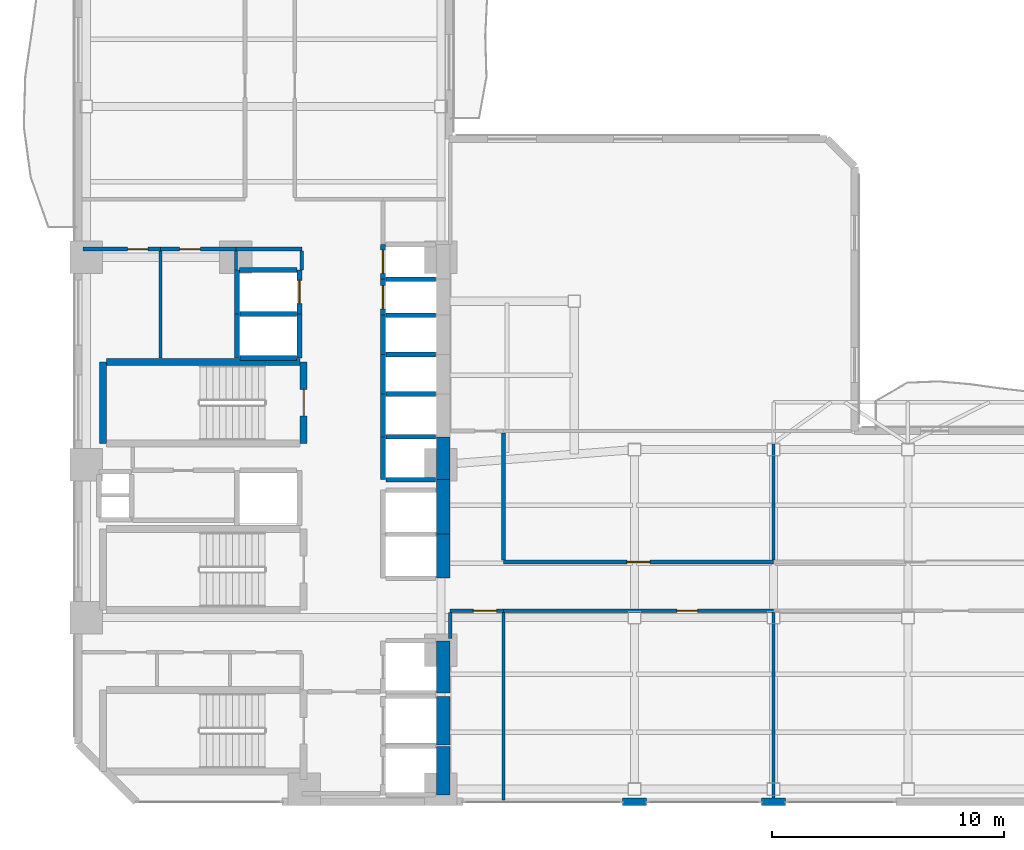
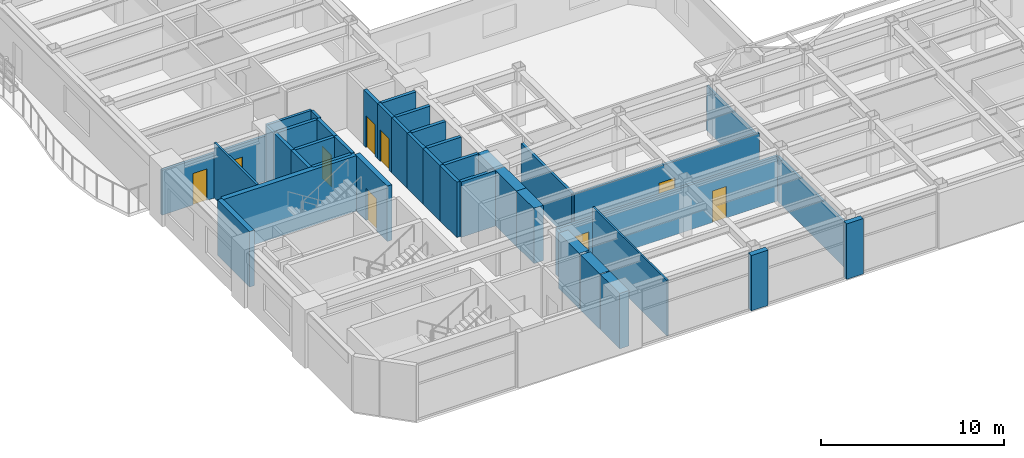
# One storey, part 10 of 16: 44 walls, 9 doors, 9 openings.
"""IFC4 building model written with IfcOpenShell, lengths in metres."""

from ifc_helpers import new_model, si_unit, direction, frame, frame_2d, origin, place, context, subcontext, project, spatial, rectangle, extrude, material, layer, layer_set, type_object, element, fill, save


model = new_model("IFC4")

# Units and contexts
model_context = context("Model", 3, precision=1e-05, world=origin(), true_north=direction((0.0, 1.0)))
body_context = subcontext(model_context, "Body", "Model", "MODEL_VIEW")
ifc_project = project(units=[si_unit("LENGTHUNIT", "METRE"), si_unit("AREAUNIT", "SQUARE_METRE"), si_unit("VOLUMEUNIT", "CUBIC_METRE"), si_unit("PLANEANGLEUNIT", "RADIAN"), si_unit("MASSUNIT", "GRAM", prefix="KILO")], contexts=[model_context])

# Site, building, storey
site_placement = place(None, origin())
site = spatial("IfcSite", under=ifc_project, at=site_placement, CompositionType="ELEMENT")
building_placement = place(site_placement, origin())
building = spatial("IfcBuilding", under=site, at=building_placement, Name="Mawjaban Terraces University", CompositionType="ELEMENT")
storey_placement = place(building_placement, frame((0.0, 0.0, 38.800048828125)))
storey = spatial("IfcBuildingStorey", under=building, at=storey_placement, Name="L08", CompositionType="ELEMENT", Elevation=38.800048828125)

# Walls
ifc_material_1 = material(Name="Concrete C70/85", Category="concrete")
ifc_layer_1 = layer(ifc_material_1, 0.60009765625)
ifc_layer_set_1 = layer_set([ifc_layer_1], Name="Concrete C70/85")
wall_type_1 = type_object("IfcWallType", Name="CoreShearWall_600", PredefinedType="SHEAR", material=ifc_layer_set_1)
wall_1_placement = place(storey_placement, frame((37.75, 0.300048828125, 0.0), z_axis=(0.0, 0.0, 1.0), x_axis=(0.0, 1.0, 0.0)))
element("IfcWall", 1, at=wall_1_placement, inside=storey, type_object=wall_type_1, Name="L08 Lift FL-1 Hoistway Wall East", PredefinedType="SHEAR", context=body_context, shape_type="SweptSolid", body=[
    extrude(rectangle(XDim=2.099853515625, YDim=0.60009765625, at=frame_2d((1.0498046875, 0.0))), origin(), (0.0, 0.0, 1.0), 3.68994140625),
])
wall_2_placement = place(storey_placement, frame((37.75, 2.449951171875, 0.0), z_axis=(0.0, 0.0, 1.0), x_axis=(0.0, 1.0, 0.0)))
element("IfcWall", 2, at=wall_2_placement, inside=storey, type_object=wall_type_1, Name="L08 Lift FL-2 Hoistway Wall East", PredefinedType="SHEAR", context=body_context, shape_type="SweptSolid", body=[
    extrude(rectangle(XDim=2.10009765625, YDim=0.60009765625, at=frame_2d((1.050048828125, 0.0))), origin(), (0.0, 0.0, 1.0), 3.68994140625),
])
wall_3_placement = place(storey_placement, frame((37.75, 4.699951171875, 0.0), z_axis=(0.0, 0.0, 1.0), x_axis=(0.0, 1.0, 0.0)))
element("IfcWall", 3, at=wall_3_placement, inside=storey, type_object=wall_type_1, Name="L08 Lift SL-1 Hoistway Wall East", PredefinedType="SHEAR", context=body_context, shape_type="SweptSolid", body=[
    extrude(rectangle(XDim=2.25, YDim=0.60009765625, at=frame_2d((1.125, 0.0))), origin(), (0.0, 0.0, 1.0), 3.68994140625),
])
wall_4_placement = place(storey_placement, frame((37.75, 9.64990234375, 0.0), z_axis=(0.0, 0.0, 1.0), x_axis=(0.0, 1.0, 0.0)))
element("IfcWall", 4, at=wall_4_placement, inside=storey, type_object=wall_type_1, Name="L08 Lift PL-H1 Hoistway Wall East", PredefinedType="SHEAR", context=body_context, shape_type="SweptSolid", body=[
    extrude(rectangle(XDim=1.900146484375, YDim=0.60009765625, at=frame_2d((0.9501953125, 0.0))), origin(), (0.0, 0.0, 1.0), 3.68994140625),
])
wall_5_placement = place(storey_placement, frame((37.75, 11.550048828125, 0.0), z_axis=(0.0, 0.0, 1.0), x_axis=(0.0, 1.0, 0.0)))
element("IfcWall", 5, at=wall_5_placement, inside=storey, type_object=wall_type_1, Name="L08 Lift PL-H2 Hoistway Wall East", PredefinedType="SHEAR", context=body_context, shape_type="SweptSolid", body=[
    extrude(rectangle(XDim=2.349853515625, YDim=0.60009765625, at=frame_2d((1.1748046875, 0.0))), origin(), (0.0, 0.0, 1.0), 3.68994140625),
])
wall_6_placement = place(storey_placement, frame((37.75, 13.89990234375, 0.0), z_axis=(0.0, 0.0, 1.0), x_axis=(0.0, 1.0, 0.0)))
element("IfcWall", 6, at=wall_6_placement, inside=storey, type_object=wall_type_1, Name="L08 Lift OL-1 Hoistway Wall East", PredefinedType="SHEAR", context=body_context, shape_type="SweptSolid", body=[
    extrude(rectangle(XDim=1.85009765625, YDim=0.60009765625, at=frame_2d((0.925048828125, 0.0))), origin(), (0.0, 0.0, 1.0), 3.68994140625),
])

# Wall, opening, door
ifc_material_2 = material(Name="Fire-rated gypsum board on steel stud", Category="steel")
ifc_layer_2 = layer(ifc_material_2, 0.159912109375)
ifc_layer_set_2 = layer_set([ifc_layer_2], Name="Fire-rated gypsum board on steel stud")
wall_type_2 = type_object("IfcWallType", Name="CorridorPartition_160", PredefinedType="PARTITIONING", material=ifc_layer_set_2)
wall_7_placement = place(storey_placement, frame((25.550048828125, 23.85009765625, 0.0), z_axis=(0.0, 0.0, 1.0), x_axis=(-1.0, 0.0, 0.0)))
wall_7 = element("IfcWall", 7, at=wall_7_placement, inside=storey, type_object=wall_type_2, Name="L08 Ablution Room Partition 5", PredefinedType="PARTITIONING", context=body_context, shape_type="SweptSolid", body=[
    extrude(rectangle(XDim=3.35009765625, YDim=0.159912109375, at=frame_2d((1.675048828125, 0.0))), origin(), (0.0, 0.0, 1.0), 2.994873046875),
])
opening_1_placement = place(wall_7_placement, frame((0.534912109375, 0.0, 0.0)))
opening_1 = element("IfcOpeningElement", 8, at=opening_1_placement, cuts=wall_7, Name="Opening ID-088", PredefinedType="OPENING", context=body_context, shape_type="SweptSolid", body=[
    extrude(rectangle(XDim=0.8798828125, YDim=2.10009765625, at=frame_2d((0.43994140625, 1.050048828125))), frame((0.0, 0.08984375, 0.0), z_axis=(0.0, -1.0, 0.0), x_axis=(1.0, 0.0, 0.0)), (0.0, 0.0, 1.0), 0.179931640625),
])
ifc_material_3 = material(Name="Powder-coated steel frame and solid acoustic timber leaf", Category="steel")
door_type_1 = type_object("IfcDoorType", Name="ToiletDoor_880x2100", OperationType="NOTDEFINED", PredefinedType="DOOR", material=ifc_material_3)
door_1_placement = place(opening_1_placement, origin())
door_1 = element("IfcDoor", 9, at=door_1_placement, inside=storey, type_object=door_type_1, Name="L08 Ablution Room Door", OperationType="SINGLE_SWING_RIGHT", OverallHeight=2.10009765625, OverallWidth=0.8798828125, PredefinedType="DOOR", context=body_context, shape_type="SweptSolid", body=[
    extrude(rectangle(XDim=0.8798828125, YDim=2.10009765625, at=frame_2d((0.43994140625, 1.050048828125))), frame((0.0, 0.02490234375, 0.0), z_axis=(0.0, -1.0, 0.0), x_axis=(1.0, 0.0, 0.0)), (0.0, 0.0, 1.0), 0.050048828125),
])
fill(opening_1, door_1)

wall_8_placement = place(storey_placement, frame((28.800048828125, 23.85009765625, 0.0), z_axis=(0.0, 0.0, 1.0), x_axis=(-1.0, 0.0, 0.0)))
wall_8 = element("IfcWall", 10, at=wall_8_placement, inside=storey, type_object=wall_type_2, Name="L08 Cleaner Store Partition 7", PredefinedType="PARTITIONING", context=body_context, shape_type="SweptSolid", body=[
    extrude(rectangle(XDim=3.25, YDim=0.159912109375, at=frame_2d((1.625, 0.0))), origin(), (0.0, 0.0, 1.0), 2.994873046875),
])
opening_2_placement = place(wall_8_placement, frame((1.52490234375, 0.0, 0.0)))
opening_2 = element("IfcOpeningElement", 11, at=opening_2_placement, cuts=wall_8, Name="Opening ID-090", PredefinedType="OPENING", context=body_context, shape_type="SweptSolid", body=[
    extrude(rectangle(XDim=0.89990234375, YDim=2.10009765625, at=frame_2d((0.449951171875, 1.050048828125))), frame((0.0, 0.08984375, 0.0), z_axis=(0.0, -1.0, 0.0), x_axis=(1.0, 0.0, 0.0)), (0.0, 0.0, 1.0), 0.179931640625),
])
door_type_2 = type_object("IfcDoorType", Name="OfficeDoor_900x2100", OperationType="NOTDEFINED", PredefinedType="DOOR", material=ifc_material_3)
door_2_placement = place(opening_2_placement, origin())
door_2 = element("IfcDoor", 12, at=door_2_placement, inside=storey, type_object=door_type_2, Name="L08 Cleaner Store Door", OperationType="SINGLE_SWING_LEFT", OverallHeight=2.10009765625, OverallWidth=0.89990234375, PredefinedType="DOOR", context=body_context, shape_type="SweptSolid", body=[
    extrude(rectangle(XDim=0.89990234375, YDim=2.10009765625, at=frame_2d((0.449951171875, 1.050048828125))), frame((0.0, 0.02490234375, 0.0), z_axis=(0.0, -1.0, 0.0), x_axis=(1.0, 0.0, 0.0)), (0.0, 0.0, 1.0), 0.050048828125),
])
fill(opening_2, door_2)

# Wall
wall_9_placement = place(storey_placement, frame((28.800048828125, 23.85009765625, 0.0), z_axis=(0.0, 0.0, 1.0), x_axis=(1.0, 0.0, 0.0)))
element("IfcWall", 13, at=wall_9_placement, inside=storey, type_object=wall_type_2, Name="L08 North Core Cross-Corridor Partition 8", PredefinedType="PARTITIONING", context=body_context, shape_type="SweptSolid", body=[
    extrude(rectangle(XDim=2.849853515625, YDim=0.159912109375, at=frame_2d((1.4248046875, 0.0))), origin(), (0.0, 0.0, 1.0), 3.68994140625),
])

# Wall, opening, door
wall_10_placement = place(storey_placement, frame((38.050048828125, 8.25, 0.0), z_axis=(0.0, 0.0, 1.0), x_axis=(1.0, 0.0, 0.0)))
wall_10 = element("IfcWall", 14, at=wall_10_placement, inside=storey, type_object=wall_type_2, Name="L08 East Academic Corridor Vestibule Partition 18", PredefinedType="PARTITIONING", context=body_context, shape_type="SweptSolid", body=[
    extrude(rectangle(XDim=2.300048828125, YDim=0.159912109375, at=frame_2d((1.14990234375, 0.0))), origin(), (0.0, 0.0, 1.0), 2.994873046875),
])
opening_3_placement = place(wall_10_placement, frame((1.0, 0.0, 0.0)))
opening_3 = element("IfcOpeningElement", 15, at=opening_3_placement, cuts=wall_10, Name="Opening ID-100", PredefinedType="OPENING", context=body_context, shape_type="SweptSolid", body=[
    extrude(rectangle(XDim=1.0, YDim=2.10009765625, at=frame_2d((0.5, 1.050048828125))), frame((0.0, 0.08984375, 0.0), z_axis=(0.0, -1.0, 0.0), x_axis=(1.0, 0.0, 0.0)), (0.0, 0.0, 1.0), 0.179931640625),
])
door_type_3 = type_object("IfcDoorType", Name="ClassroomDoor_1000x2100", OperationType="NOTDEFINED", PredefinedType="DOOR", material=ifc_material_3)
door_3_placement = place(opening_3_placement, origin())
door_3 = element("IfcDoor", 16, at=door_3_placement, inside=storey, type_object=door_type_3, Name="L08 Classroom 1 Door", OperationType="SINGLE_SWING_RIGHT", OverallHeight=2.10009765625, OverallWidth=1.0, PredefinedType="DOOR", context=body_context, shape_type="SweptSolid", body=[
    extrude(rectangle(XDim=1.0, YDim=2.10009765625, at=frame_2d((0.5, 1.050048828125))), frame((0.0, 0.02490234375, 0.0), z_axis=(0.0, -1.0, 0.0), x_axis=(1.0, 0.0, 0.0)), (0.0, 0.0, 1.0), 0.050048828125),
])
fill(opening_3, door_3)

wall_11_placement = place(storey_placement, frame((40.35009765625, 8.25, 0.0), z_axis=(0.0, 0.0, 1.0), x_axis=(1.0, 0.0, 0.0)))
wall_11 = element("IfcWall", 17, at=wall_11_placement, inside=storey, type_object=wall_type_2, Name="L08 East Academic Spine Corridor Partition 19", PredefinedType="PARTITIONING", context=body_context, shape_type="SweptSolid", body=[
    extrude(rectangle(XDim=11.64990234375, YDim=0.159912109375, at=frame_2d((5.824951171875, 0.0))), origin(), (0.0, 0.0, 1.0), 2.994873046875),
])
opening_4_placement = place(wall_11_placement, frame((7.47509765625, 0.0, 0.0)))
opening_4 = element("IfcOpeningElement", 18, at=opening_4_placement, cuts=wall_11, Name="Opening ID-090", PredefinedType="OPENING", context=body_context, shape_type="SweptSolid", body=[
    extrude(rectangle(XDim=0.89990234375, YDim=2.10009765625, at=frame_2d((0.449951171875, 1.050048828125))), frame((0.0, 0.08984375, 0.0), z_axis=(0.0, -1.0, 0.0), x_axis=(1.0, 0.0, 0.0)), (0.0, 0.0, 1.0), 0.179931640625),
])
door_4_placement = place(opening_4_placement, origin())
door_4 = element("IfcDoor", 19, at=door_4_placement, inside=storey, type_object=door_type_2, Name="L08 Seminar Room 2 Door", OperationType="SINGLE_SWING_LEFT", OverallHeight=2.10009765625, OverallWidth=0.89990234375, PredefinedType="DOOR", context=body_context, shape_type="SweptSolid", body=[
    extrude(rectangle(XDim=0.89990234375, YDim=2.10009765625, at=frame_2d((0.449951171875, 1.050048828125))), frame((0.0, 0.02490234375, 0.0), z_axis=(0.0, -1.0, 0.0), x_axis=(1.0, 0.0, 0.0)), (0.0, 0.0, 1.0), 0.050048828125),
])
fill(opening_4, door_4)

wall_12_placement = place(storey_placement, frame((52.0, 10.35009765625, 0.0), z_axis=(0.0, 0.0, 1.0), x_axis=(-1.0, 0.0, 0.0)))
wall_12 = element("IfcWall", 20, at=wall_12_placement, inside=storey, type_object=wall_type_2, Name="L08 East Academic Spine Corridor Partition 22", PredefinedType="PARTITIONING", context=body_context, shape_type="SweptSolid", body=[
    extrude(rectangle(XDim=11.64990234375, YDim=0.159912109375, at=frame_2d((5.824951171875, 0.0))), origin(), (0.0, 0.0, 1.0), 3.22705078125),
])
opening_5_placement = place(wall_12_placement, frame((5.324951171875, 0.0, 0.0)))
opening_5 = element("IfcOpeningElement", 21, at=opening_5_placement, cuts=wall_12, Name="Opening ID-100", PredefinedType="OPENING", context=body_context, shape_type="SweptSolid", body=[
    extrude(rectangle(XDim=1.0, YDim=2.10009765625, at=frame_2d((0.5, 1.050048828125))), frame((0.0, 0.08984375, 0.0), z_axis=(0.0, -1.0, 0.0), x_axis=(1.0, 0.0, 0.0)), (0.0, 0.0, 1.0), 0.179931640625),
])
door_5_placement = place(opening_5_placement, origin())
door_5 = element("IfcDoor", 22, at=door_5_placement, inside=storey, type_object=door_type_3, Name="L08 Classroom 3 Door", OperationType="SINGLE_SWING_RIGHT", OverallHeight=2.10009765625, OverallWidth=1.0, PredefinedType="DOOR", context=body_context, shape_type="SweptSolid", body=[
    extrude(rectangle(XDim=1.0, YDim=2.10009765625, at=frame_2d((0.5, 1.050048828125))), frame((0.0, 0.02490234375, 0.0), z_axis=(0.0, -1.0, 0.0), x_axis=(1.0, 0.0, 0.0)), (0.0, 0.0, 1.0), 0.050048828125),
])
fill(opening_5, door_5)

# Walls
wall_13_placement = place(storey_placement, frame((31.64990234375, 23.77490234375, 0.0), z_axis=(0.0, 0.0, 1.0), x_axis=(0.0, -1.0, 0.0)))
element("IfcWall", 23, at=wall_13_placement, inside=storey, type_object=wall_type_2, Name="L08 Passenger Lift Lobby Partition 40", PredefinedType="PARTITIONING", context=body_context, shape_type="SweptSolid", body=[
    extrude(rectangle(XDim=0.824951171875, YDim=0.159912109375, at=frame_2d((0.41259765625, 0.0))), origin(), (0.0, 0.0, 1.0), 3.68994140625),
])
wall_14_placement = place(storey_placement, frame((38.050048828125, 7.050048828125, 0.0), z_axis=(0.0, 0.0, 1.0), x_axis=(0.0, 1.0, 0.0)))
element("IfcWall", 24, at=wall_14_placement, inside=storey, type_object=wall_type_2, Name="L08 Core Stair and Lift Lobby East Partition 42", PredefinedType="PARTITIONING", context=body_context, shape_type="SweptSolid", body=[
    extrude(rectangle(XDim=1.125, YDim=0.159912109375, at=frame_2d((0.5625, 0.0))), origin(), (0.0, 0.0, 1.0), 2.994873046875),
])
wall_15_placement = place(storey_placement, frame((40.35009765625, 10.425048828125, 0.0), z_axis=(0.0, 0.0, 1.0), x_axis=(0.0, 1.0, 0.0)))
element("IfcWall", 25, at=wall_15_placement, inside=storey, type_object=wall_type_2, Name="L08 East Academic Corridor Vestibule Partition 45", PredefinedType="PARTITIONING", context=body_context, shape_type="SweptSolid", body=[
    extrude(rectangle(XDim=5.5, YDim=0.159912109375, at=frame_2d((2.75, 0.0))), origin(), (0.0, 0.0, 1.0), 3.22705078125),
])
ifc_material_4 = material(Name="Insulated terracotta rainscreen on concrete backup C40/50", Category="masonry")
ifc_layer_3 = layer(ifc_material_4, 0.320068359375)
ifc_layer_set_3 = layer_set([ifc_layer_3], Name="Insulated terracotta rainscreen on concrete backup C40/50")
wall_type_3 = type_object("IfcWallType", Name="ExtTerracottaWall_320", PredefinedType="SOLIDWALL", material=ifc_layer_set_3)
for number, where, z_axis, x_axis, name in (
    (26, (45.47509765625, 0.0, 0.0), (0.0, 0.0, 1.0), (1.0, 0.0, 0.0), "L08 Exterior Terracotta Pier Wall 1.2"),
    (27, (51.47509765625, 0.0, 0.0), (0.0, 0.0, 1.0), (1.0, 0.0, 0.0), "L08 Exterior Terracotta Pier Wall 1.3"),
):
    element("IfcWall", number, at=place(storey_placement, frame(where, z_axis=z_axis, x_axis=x_axis)), inside=storey, type_object=wall_type_3, Name=name, PredefinedType="SOLIDWALL", context=body_context, shape_type="SweptSolid", body=[
        extrude(rectangle(XDim=1.0498046875, YDim=0.320068359375, at=frame_2d((0.52490234375, 0.0))), origin(), (0.0, 0.0, 1.0), 3.68994140625),
    ])
ifc_material_5 = material(Name="Concrete C40/50", Category="concrete")
ifc_layer_4 = layer(ifc_material_5, 0.199951171875)
ifc_layer_set_4 = layer_set([ifc_layer_4], Name="Concrete C40/50")
wall_type_4 = type_object("IfcWallType", Name="FireLobbyWall_200", PredefinedType="SOLIDWALL", material=ifc_layer_set_4)
wall_16_placement = place(storey_placement, frame((35.14990234375, 15.75, 0.0), z_axis=(0.0, 0.0, 1.0), x_axis=(0.0, -1.0, 0.0)))
element("IfcWall", 28, at=wall_16_placement, inside=storey, type_object=wall_type_4, Name="L08 Lift OL-1 Hoistway Wall West", PredefinedType="SOLIDWALL", context=body_context, shape_type="SweptSolid", body=[
    extrude(rectangle(XDim=1.85009765625, YDim=0.199951171875, at=frame_2d((0.925048828125, 0.0))), origin(), (0.0, 0.0, 1.0), 3.68994140625),
])
for number, where, z_axis, x_axis, name in (
    (29, (35.280029296875, 13.89990234375, 0.0), (0.0, 0.0, 1.0), (1.0, 0.0, 0.0), "L08 Lift OL-1 Hoistway Wall South"),
    (30, (37.419921875, 15.75, 0.0), (0.0, 0.0, 1.0), (-1.0, 0.0, 0.0), "L08 Lift OL-1 Hoistway Wall North"),
):
    element("IfcWall", number, at=place(storey_placement, frame(where, z_axis=z_axis, x_axis=x_axis)), inside=storey, type_object=wall_type_4, Name=name, PredefinedType="SOLIDWALL", context=body_context, shape_type="SweptSolid", body=[
        extrude(rectangle(XDim=2.139892578125, YDim=0.199951171875, at=frame_2d((1.06982421875, 0.0))), origin(), (0.0, 0.0, 1.0), 3.68994140625),
    ])
wall_17_placement = place(storey_placement, frame((35.14990234375, 17.60009765625, 0.0), z_axis=(0.0, 0.0, 1.0), x_axis=(0.0, -1.0, 0.0)))
element("IfcWall", 31, at=wall_17_placement, inside=storey, type_object=wall_type_4, Name="L08 Lift OL-2 Hoistway Wall West", PredefinedType="SOLIDWALL", context=body_context, shape_type="SweptSolid", body=[
    extrude(rectangle(XDim=1.85009765625, YDim=0.199951171875, at=frame_2d((0.925048828125, 0.0))), origin(), (0.0, 0.0, 1.0), 3.68994140625),
])
wall_18_placement = place(storey_placement, frame((37.419921875, 17.60009765625, 0.0), z_axis=(0.0, 0.0, 1.0), x_axis=(-1.0, 0.0, 0.0)))
element("IfcWall", 32, at=wall_18_placement, inside=storey, type_object=wall_type_4, Name="L08 Lift OL-2 Hoistway Wall North", PredefinedType="SOLIDWALL", context=body_context, shape_type="SweptSolid", body=[
    extrude(rectangle(XDim=2.139892578125, YDim=0.199951171875, at=frame_2d((1.06982421875, 0.0))), origin(), (0.0, 0.0, 1.0), 3.68994140625),
])
wall_19_placement = place(storey_placement, frame((35.14990234375, 19.300048828125, 0.0), z_axis=(0.0, 0.0, 1.0), x_axis=(0.0, -1.0, 0.0)))
element("IfcWall", 33, at=wall_19_placement, inside=storey, type_object=wall_type_4, Name="L08 Lift PL-M1 Hoistway Wall West", PredefinedType="SOLIDWALL", context=body_context, shape_type="SweptSolid", body=[
    extrude(rectangle(XDim=1.699951171875, YDim=0.199951171875, at=frame_2d((0.85009765625, 0.0))), origin(), (0.0, 0.0, 1.0), 3.68994140625),
])
wall_20_placement = place(storey_placement, frame((37.419921875, 19.300048828125, 0.0), z_axis=(0.0, 0.0, 1.0), x_axis=(-1.0, 0.0, 0.0)))
element("IfcWall", 34, at=wall_20_placement, inside=storey, type_object=wall_type_4, Name="L08 Lift PL-M1 Hoistway Wall North", PredefinedType="SOLIDWALL", context=body_context, shape_type="SweptSolid", body=[
    extrude(rectangle(XDim=2.139892578125, YDim=0.199951171875, at=frame_2d((1.06982421875, 0.0))), origin(), (0.0, 0.0, 1.0), 3.68994140625),
])
wall_21_placement = place(storey_placement, frame((35.14990234375, 21.0, 0.0), z_axis=(0.0, 0.0, 1.0), x_axis=(0.0, -1.0, 0.0)))
element("IfcWall", 35, at=wall_21_placement, inside=storey, type_object=wall_type_4, Name="L08 Lift PL-M2 Hoistway Wall West", PredefinedType="SOLIDWALL", context=body_context, shape_type="SweptSolid", body=[
    extrude(rectangle(XDim=1.699951171875, YDim=0.199951171875, at=frame_2d((0.85009765625, 0.0))), origin(), (0.0, 0.0, 1.0), 3.68994140625),
])
wall_22_placement = place(storey_placement, frame((37.419921875, 21.0, 0.0), z_axis=(0.0, 0.0, 1.0), x_axis=(-1.0, 0.0, 0.0)))
element("IfcWall", 36, at=wall_22_placement, inside=storey, type_object=wall_type_4, Name="L08 Lift PL-M2 Hoistway Wall North", PredefinedType="SOLIDWALL", context=body_context, shape_type="SweptSolid", body=[
    extrude(rectangle(XDim=2.139892578125, YDim=0.199951171875, at=frame_2d((1.06982421875, 0.0))), origin(), (0.0, 0.0, 1.0), 3.68994140625),
])
for number, where, z_axis, x_axis, name in (
    (37, (28.85009765625, 21.050048828125, 0.0), (0.0, 0.0, 1.0), (0.0, -1.0, 0.0), "L08 Lift PL-M3 Hoistway Wall West"),
    (38, (31.550048828125, 19.14990234375, 0.0), (0.0, 0.0, 1.0), (0.0, 1.0, 0.0), "L08 Lift PL-M3 Hoistway Wall East"),
):
    element("IfcWall", number, at=place(storey_placement, frame(where, z_axis=z_axis, x_axis=x_axis)), inside=storey, type_object=wall_type_4, Name=name, PredefinedType="SOLIDWALL", context=body_context, shape_type="SweptSolid", body=[
        extrude(rectangle(XDim=1.900146484375, YDim=0.199951171875, at=frame_2d((0.9501953125, 0.0))), origin(), (0.0, 0.0, 1.0), 3.68994140625),
    ])
for number, where, z_axis, x_axis, name in (
    (39, (28.97998046875, 19.14990234375, 0.0), (0.0, 0.0, 1.0), (1.0, 0.0, 0.0), "L08 Lift PL-M3 Hoistway Wall South"),
    (40, (31.419921875, 21.050048828125, 0.0), (0.0, 0.0, 1.0), (-1.0, 0.0, 0.0), "L08 Lift PL-M3 Hoistway Wall North"),
):
    element("IfcWall", number, at=place(storey_placement, frame(where, z_axis=z_axis, x_axis=x_axis)), inside=storey, type_object=wall_type_4, Name=name, PredefinedType="SOLIDWALL", context=body_context, shape_type="SweptSolid", body=[
        extrude(rectangle(XDim=2.43994140625, YDim=0.199951171875, at=frame_2d((1.219970703125, 0.0))), origin(), (0.0, 0.0, 1.0), 3.68994140625),
    ])

# Wall, opening, door
wall_23_placement = place(storey_placement, frame((35.14990234375, 22.550048828125, 0.0), z_axis=(0.0, 0.0, 1.0), x_axis=(0.0, -1.0, 0.0)))
wall_23 = element("IfcWall", 41, at=wall_23_placement, inside=storey, type_object=wall_type_4, Name="L08 Lift PL-L1 Hoistway Wall West", PredefinedType="SOLIDWALL", context=body_context, shape_type="SweptSolid", body=[
    extrude(rectangle(XDim=1.550048828125, YDim=0.199951171875, at=frame_2d((0.77490234375, 0.0))), origin(), (0.0, 0.0, 1.0), 3.68994140625),
])
opening_6_placement = place(wall_23_placement, frame((0.27490234375, 0.0, 0.0)))
opening_6 = element("IfcOpeningElement", 42, at=opening_6_placement, cuts=wall_23, Name="Opening LD-PL-L1", PredefinedType="OPENING", context=body_context, shape_type="SweptSolid", body=[
    extrude(rectangle(XDim=1.0, YDim=2.10009765625, at=frame_2d((0.5, 1.050048828125))), frame((0.0, 0.10986328125, 0.0), z_axis=(0.0, -1.0, 0.0), x_axis=(1.0, 0.0, 0.0)), (0.0, 0.0, 1.0), 0.219970703125),
])
ifc_material_6 = material(Name="Powder-coated steel frame and fire-rated steel-faced leaf", Category="steel")
door_type_4 = type_object("IfcDoorType", Name="LiftLandingSliding_1000x2100", OperationType="NOTDEFINED", PredefinedType="DOOR", material=ifc_material_6)
door_6_placement = place(opening_6_placement, origin())
door_6 = element("IfcDoor", 43, at=door_6_placement, inside=storey, type_object=door_type_4, Name="L08 Lift PL-L1 Sliding Landing Door", OperationType="DOUBLE_DOOR_SLIDING", OverallHeight=2.10009765625, OverallWidth=1.0, PredefinedType="DOOR", context=body_context, shape_type="SweptSolid", body=[
    extrude(rectangle(XDim=1.0, YDim=2.10009765625, at=frame_2d((0.5, 1.050048828125))), frame((0.0, 0.02490234375, 0.0), z_axis=(0.0, -1.0, 0.0), x_axis=(1.0, 0.0, 0.0)), (0.0, 0.0, 1.0), 0.050048828125),
])
fill(opening_6, door_6)

# Wall
wall_24_placement = place(storey_placement, frame((37.419921875, 22.550048828125, 0.0), z_axis=(0.0, 0.0, 1.0), x_axis=(-1.0, 0.0, 0.0)))
element("IfcWall", 44, at=wall_24_placement, inside=storey, type_object=wall_type_4, Name="L08 Lift PL-L1 Hoistway Wall North", PredefinedType="SOLIDWALL", context=body_context, shape_type="SweptSolid", body=[
    extrude(rectangle(XDim=2.139892578125, YDim=0.199951171875, at=frame_2d((1.06982421875, 0.0))), origin(), (0.0, 0.0, 1.0), 3.68994140625),
])

# Wall, opening, door
wall_25_placement = place(storey_placement, frame((35.14990234375, 24.050048828125, 0.0), z_axis=(0.0, 0.0, 1.0), x_axis=(0.0, -1.0, 0.0)))
wall_25 = element("IfcWall", 45, at=wall_25_placement, inside=storey, type_object=wall_type_4, Name="L08 Lift PL-L2 Hoistway Wall West", PredefinedType="SOLIDWALL", context=body_context, shape_type="SweptSolid", body=[
    extrude(rectangle(XDim=1.5, YDim=0.199951171875, at=frame_2d((0.75, 0.0))), origin(), (0.0, 0.0, 1.0), 3.68994140625),
])
opening_7_placement = place(wall_25_placement, frame((0.25, 0.0, 0.0)))
opening_7 = element("IfcOpeningElement", 46, at=opening_7_placement, cuts=wall_25, Name="Opening LD-PL-L2", PredefinedType="OPENING", context=body_context, shape_type="SweptSolid", body=[
    extrude(rectangle(XDim=1.0, YDim=2.10009765625, at=frame_2d((0.5, 1.050048828125))), frame((0.0, 0.10986328125, 0.0), z_axis=(0.0, -1.0, 0.0), x_axis=(1.0, 0.0, 0.0)), (0.0, 0.0, 1.0), 0.219970703125),
])
door_7_placement = place(opening_7_placement, origin())
door_7 = element("IfcDoor", 47, at=door_7_placement, inside=storey, type_object=door_type_4, Name="L08 Lift PL-L2 Sliding Landing Door", OperationType="DOUBLE_DOOR_SLIDING", OverallHeight=2.10009765625, OverallWidth=1.0, PredefinedType="DOOR", context=body_context, shape_type="SweptSolid", body=[
    extrude(rectangle(XDim=1.0, YDim=2.10009765625, at=frame_2d((0.5, 1.050048828125))), frame((0.0, 0.02490234375, 0.0), z_axis=(0.0, -1.0, 0.0), x_axis=(1.0, 0.0, 0.0)), (0.0, 0.0, 1.0), 0.050048828125),
])
fill(opening_7, door_7)

# Wall
wall_26_placement = place(storey_placement, frame((28.85009765625, 22.949951171875, 0.0), z_axis=(0.0, 0.0, 1.0), x_axis=(0.0, -1.0, 0.0)))
element("IfcWall", 48, at=wall_26_placement, inside=storey, type_object=wall_type_4, Name="L08 Lift PL-L3 Hoistway Wall West", PredefinedType="SOLIDWALL", context=body_context, shape_type="SweptSolid", body=[
    extrude(rectangle(XDim=1.89990234375, YDim=0.199951171875, at=frame_2d((0.949951171875, 0.0))), origin(), (0.0, 0.0, 1.0), 3.68994140625),
])

# Wall, opening, door
wall_27_placement = place(storey_placement, frame((31.550048828125, 21.050048828125, 0.0), z_axis=(0.0, 0.0, 1.0), x_axis=(0.0, 1.0, 0.0)))
wall_27 = element("IfcWall", 49, at=wall_27_placement, inside=storey, type_object=wall_type_4, Name="L08 Lift PL-L3 Hoistway Wall East", PredefinedType="SOLIDWALL", context=body_context, shape_type="SweptSolid", body=[
    extrude(rectangle(XDim=1.89990234375, YDim=0.199951171875, at=frame_2d((0.949951171875, 0.0))), origin(), (0.0, 0.0, 1.0), 3.68994140625),
])
opening_8_placement = place(wall_27_placement, frame((0.449951171875, 0.0, 0.0)))
opening_8 = element("IfcOpeningElement", 50, at=opening_8_placement, cuts=wall_27, Name="Opening LD-PL-L3", PredefinedType="OPENING", context=body_context, shape_type="SweptSolid", body=[
    extrude(rectangle(XDim=1.0, YDim=2.10009765625, at=frame_2d((0.5, 1.050048828125))), frame((0.0, 0.10986328125, 0.0), z_axis=(0.0, -1.0, 0.0), x_axis=(1.0, 0.0, 0.0)), (0.0, 0.0, 1.0), 0.219970703125),
])
door_8_placement = place(opening_8_placement, origin())
door_8 = element("IfcDoor", 51, at=door_8_placement, inside=storey, type_object=door_type_4, Name="L08 Lift PL-L3 Sliding Landing Door", OperationType="DOUBLE_DOOR_SLIDING", OverallHeight=2.10009765625, OverallWidth=1.0, PredefinedType="DOOR", context=body_context, shape_type="SweptSolid", body=[
    extrude(rectangle(XDim=1.0, YDim=2.10009765625, at=frame_2d((0.5, 1.050048828125))), frame((0.0, 0.02490234375, 0.0), z_axis=(0.0, -1.0, 0.0), x_axis=(1.0, 0.0, 0.0)), (0.0, 0.0, 1.0), 0.050048828125),
])
fill(opening_8, door_8)

# Walls
wall_28_placement = place(storey_placement, frame((31.429931640625, 22.949951171875, 0.0), z_axis=(0.0, 0.0, 1.0), x_axis=(-1.0, 0.0, 0.0)))
element("IfcWall", 52, at=wall_28_placement, inside=storey, type_object=wall_type_4, Name="L08 Lift PL-L3 Hoistway Wall North", PredefinedType="SOLIDWALL", context=body_context, shape_type="SweptSolid", body=[
    extrude(rectangle(XDim=2.4599609375, YDim=0.199951171875, at=frame_2d((1.22998046875, 0.0))), origin(), (0.0, 0.0, 1.0), 3.68994140625),
])
ifc_material_7 = material(Name="Moisture-resistant gypsum board on steel stud", Category="steel")
ifc_layer_5 = layer(ifc_material_7, 0.14501953125)
ifc_layer_set_5 = layer_set([ifc_layer_5], Name="Moisture-resistant gypsum board on steel stud")
wall_type_5 = type_object("IfcWallType", Name="LabPartition_145", PredefinedType="PARTITIONING", material=ifc_layer_set_5)
wall_29_placement = place(storey_placement, frame((52.0, 0.155029296875, 0.0), z_axis=(0.0, 0.0, 1.0), x_axis=(0.0, 1.0, 0.0)))
element("IfcWall", 53, at=wall_29_placement, inside=storey, type_object=wall_type_5, Name="L08 Seminar Room 2 Partition 46", PredefinedType="PARTITIONING", context=body_context, shape_type="SweptSolid", body=[
    extrude(rectangle(XDim=8.02001953125, YDim=0.14501953125, at=frame_2d((4.010009765625, 0.0))), origin(), (0.0, 0.0, 1.0), 2.994873046875),
])
ifc_material_8 = material(Name="Gypsum plasterboard on steel stud", Category="steel")
ifc_layer_6 = layer(ifc_material_8, 0.125)
ifc_layer_set_6 = layer_set([ifc_layer_6], Name="Gypsum plasterboard on steel stud")
wall_type_6 = type_object("IfcWallType", Name="OfficePartition_125", PredefinedType="PARTITIONING", material=ifc_layer_set_6)
wall_30_placement = place(storey_placement, frame((28.800048828125, 22.949951171875, 0.0), z_axis=(0.0, 0.0, 1.0), x_axis=(0.0, 1.0, 0.0)))
element("IfcWall", 54, at=wall_30_placement, inside=storey, type_object=wall_type_6, Name="L08 Cleaner Store Partition 32", PredefinedType="PARTITIONING", context=body_context, shape_type="SweptSolid", body=[
    extrude(rectangle(XDim=0.824951171875, YDim=0.125, at=frame_2d((0.41259765625, 0.0))), origin(), (0.0, 0.0, 1.0), 3.68994140625),
])
wall_31_placement = place(storey_placement, frame((52.0, 10.425048828125, 0.0), z_axis=(0.0, 0.0, 1.0), x_axis=(0.0, 1.0, 0.0)))
element("IfcWall", 55, at=wall_31_placement, inside=storey, type_object=wall_type_6, Name="L08 Classroom 3 Partition 47", PredefinedType="PARTITIONING", context=body_context, shape_type="SweptSolid", body=[
    extrude(rectangle(XDim=5.51806640625, YDim=0.125, at=frame_2d((2.759033203125, 0.0))), origin(), (0.0, 0.0, 1.0), 2.994873046875),
])
ifc_material_9 = material(Name="Acoustic operable panel partition", Category="masonry")
ifc_layer_7 = layer(ifc_material_9, 0.110107421875)
ifc_layer_set_7 = layer_set([ifc_layer_7], Name="Acoustic operable panel partition")
wall_type_7 = type_object("IfcWallType", Name="OperableSeminarWall_110", PredefinedType="MOVABLE", material=ifc_layer_set_7)
wall_32_placement = place(storey_placement, frame((40.35009765625, 0.090087890625, 0.0), z_axis=(0.0, 0.0, 1.0), x_axis=(0.0, 1.0, 0.0)))
element("IfcWall", 56, at=wall_32_placement, inside=storey, type_object=wall_type_7, Name="L08 Classroom 1 Partition 44", PredefinedType="MOVABLE", context=body_context, shape_type="SweptSolid", body=[
    extrude(rectangle(XDim=8.0849609375, YDim=0.110107421875, at=frame_2d((4.04248046875, 0.0))), origin(), (0.0, 0.0, 1.0), 3.68994140625),
])
ifc_material_10 = material(Name="Concrete C60/75", Category="concrete")
ifc_layer_8 = layer(ifc_material_10, 0.300048828125)
ifc_layer_set_8 = layer_set([ifc_layer_8], Name="Concrete C60/75")
wall_type_8 = type_object("IfcWallType", Name="StairShaftWall_300", PredefinedType="SHEAR", material=ifc_layer_set_8)
wall_33_placement = place(storey_placement, frame((31.580078125, 18.97998046875, 0.0), z_axis=(0.0, 0.0, 1.0), x_axis=(-1.0, 0.0, 0.0)))
element("IfcWall", 57, at=wall_33_placement, inside=storey, type_object=wall_type_8, Name="L08 ST-2 Stair Shaft Wall 1", PredefinedType="SHEAR", context=body_context, shape_type="SweptSolid", body=[
    extrude(rectangle(XDim=8.360107421875, YDim=0.300048828125, at=frame_2d((4.18017578125, 0.0))), origin(), (0.0, 0.0, 1.0), 3.68994140625),
])
wall_34_placement = place(storey_placement, frame((23.070068359375, 18.97998046875, 0.0), z_axis=(0.0, 0.0, 1.0), x_axis=(0.0, -1.0, 0.0)))
element("IfcWall", 58, at=wall_34_placement, inside=storey, type_object=wall_type_8, Name="L08 ST-2 Stair Shaft Wall 2", PredefinedType="SHEAR", context=body_context, shape_type="SweptSolid", body=[
    extrude(rectangle(XDim=3.510009765625, YDim=0.300048828125, at=frame_2d((1.7548828125, 0.0))), origin(), (0.0, 0.0, 1.0), 3.68994140625),
])

# Wall, opening, door
wall_35_placement = place(storey_placement, frame((31.72998046875, 15.469970703125, 0.0), z_axis=(0.0, 0.0, 1.0), x_axis=(0.0, 1.0, 0.0)))
wall_35 = element("IfcWall", 59, at=wall_35_placement, inside=storey, type_object=wall_type_8, Name="L08 ST-2 Stair Shaft Wall 4", PredefinedType="SHEAR", context=body_context, shape_type="SweptSolid", body=[
    extrude(rectangle(XDim=3.510009765625, YDim=0.300048828125, at=frame_2d((1.7548828125, 0.0))), origin(), (0.0, 0.0, 1.0), 3.68994140625),
])
opening_9_placement = place(wall_35_placement, frame((1.179931640625, 0.0, 0.0)))
opening_9 = element("IfcOpeningElement", 60, at=opening_9_placement, cuts=wall_35, Name="Opening FD-115", PredefinedType="OPENING", context=body_context, shape_type="SweptSolid", body=[
    extrude(rectangle(XDim=1.14990234375, YDim=2.14990234375, at=frame_2d((0.574951171875, 1.074951171875))), frame((0.0, 0.159912109375, 0.0), z_axis=(0.0, -1.0, 0.0), x_axis=(1.0, 0.0, 0.0)), (0.0, 0.0, 1.0), 0.320068359375),
])
door_type_5 = type_object("IfcDoorType", Name="FireStairDoor_1150x2150", OperationType="NOTDEFINED", PredefinedType="DOOR", material=ifc_material_6)
door_9_placement = place(opening_9_placement, origin())
door_9 = element("IfcDoor", 61, at=door_9_placement, inside=storey, type_object=door_type_5, Name="L08 ST-2 Pressurised Stair Fire Door", OperationType="SINGLE_SWING_LEFT", OverallHeight=2.14990234375, OverallWidth=1.14990234375, PredefinedType="DOOR", context=body_context, shape_type="SweptSolid", body=[
    extrude(rectangle(XDim=1.14990234375, YDim=2.14990234375, at=frame_2d((0.574951171875, 1.074951171875))), frame((0.0, 0.02490234375, 0.0), z_axis=(0.0, -1.0, 0.0), x_axis=(1.0, 0.0, 0.0)), (0.0, 0.0, 1.0), 0.050048828125),
])
fill(opening_9, door_9)

# Wall
ifc_material_11 = material(Name="Cement-board wet-room partition", Category="masonry")
ifc_layer_9 = layer(ifc_material_11, 0.135009765625)
ifc_layer_set_9 = layer_set([ifc_layer_9], Name="Cement-board wet-room partition")
wall_type_9 = type_object("IfcWallType", Name="WetRoomPartition_135", PredefinedType="PARTITIONING", material=ifc_layer_set_9)
wall_36_placement = place(storey_placement, frame((25.550048828125, 19.159912109375, 0.0), z_axis=(0.0, 0.0, 1.0), x_axis=(0.0, 1.0, 0.0)))
element("IfcWall", 62, at=wall_36_placement, inside=storey, type_object=wall_type_9, Name="L08 Ablution Room Partition 30", PredefinedType="PARTITIONING", context=body_context, shape_type="SweptSolid", body=[
    extrude(rectangle(XDim=4.614990234375, YDim=0.135009765625, at=frame_2d((2.3076171875, 0.0))), origin(), (0.0, 0.0, 1.0), 3.68994140625),
])

save(model, "model.ifc")
